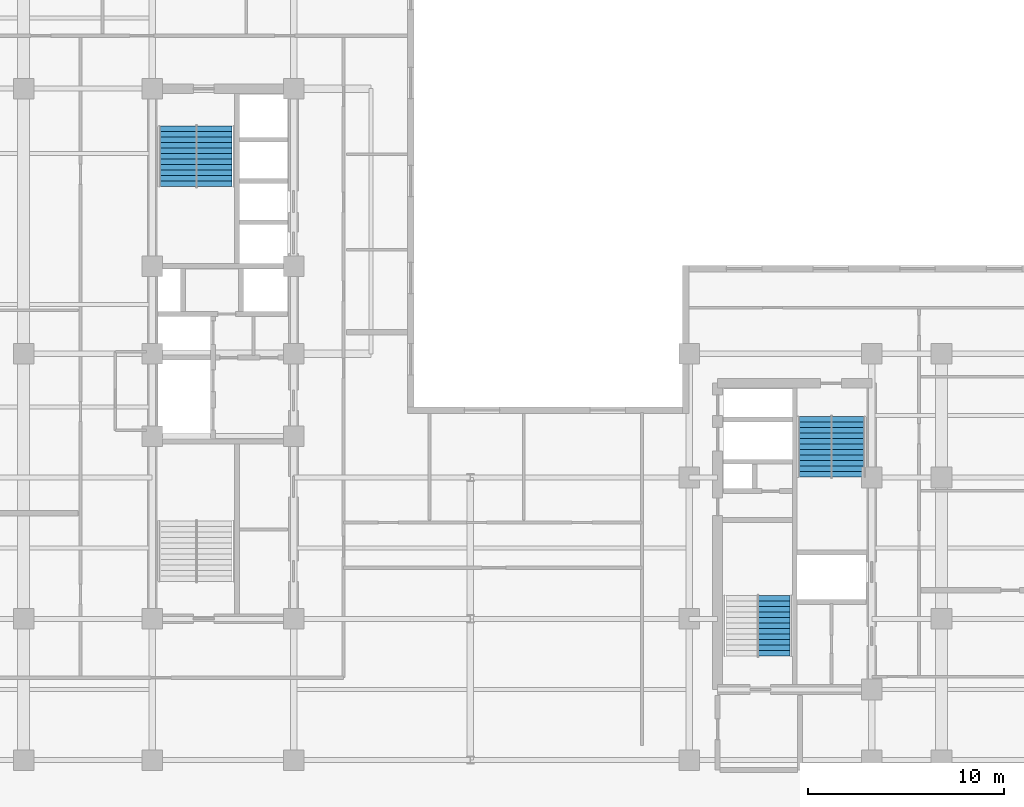
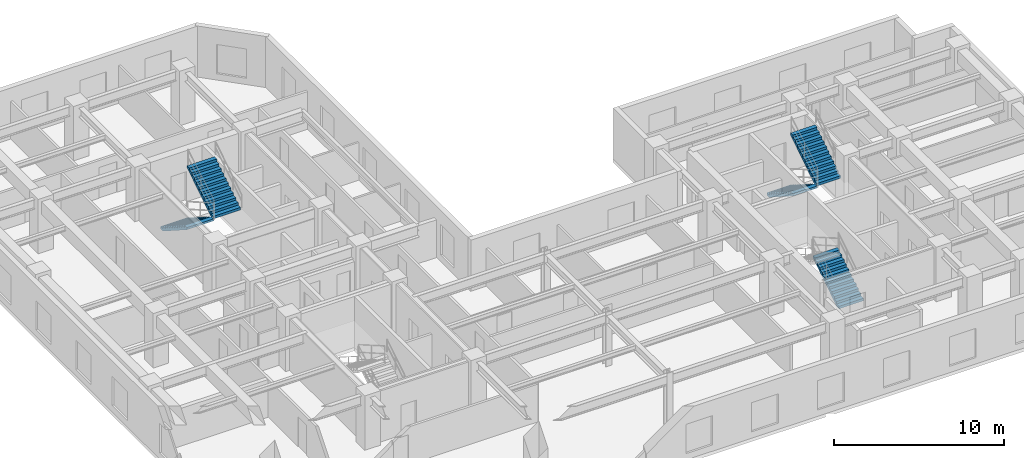
# One storey, part 7 of 10: 5 stair flights, 3 elements without a shape of their own.
"""IFC4 building model written with IfcOpenShell, lengths in metres."""

from ifc_helpers import new_model, entity, si_unit, converted_unit, direction, frame, origin_with_axes, place, context, subcontext, project, spatial, polyline, outline, extrude, material, type_object, element, aggregate, save


model = new_model("IFC4")

# Units and contexts
model_context = context("Model", 3, precision=1e-05, world=origin_with_axes(), true_north=direction((0.0, 1.0)))
body_context = subcontext(model_context, "Body", "Model", "MODEL_VIEW")
ifc_project = project(units=[si_unit("LENGTHUNIT", "METRE"), si_unit("AREAUNIT", "SQUARE_METRE"), si_unit("VOLUMEUNIT", "CUBIC_METRE"), converted_unit("PLANEANGLEUNIT", "DEGREE", entity("IfcPlaneAngleMeasure", 0.017453292519943295), si_unit("PLANEANGLEUNIT", "RADIAN"), dimensions=[0, 0, 0, 0, 0, 0, 0]), si_unit("MASSUNIT", "GRAM", prefix="KILO"), si_unit("THERMODYNAMICTEMPERATUREUNIT", "KELVIN")], contexts=[model_context])

# Site, building, storey
site_placement = place(None, origin_with_axes())
site = spatial("IfcSite", under=ifc_project, at=site_placement, CompositionType="ELEMENT")
building_placement = place(site_placement, origin_with_axes())
building = spatial("IfcBuilding", under=site, at=building_placement, Name="Varnlund Millrace Tower", CompositionType="ELEMENT")
storey_placement = place(building_placement, frame((0.0, 0.0, 171.9), z_axis=(0.0, 0.0, 1.0), x_axis=(1.0, 0.0, 0.0)))
storey = spatial("IfcBuildingStorey", under=building, at=storey_placement, Name="L42", CompositionType="ELEMENT", Elevation=171.9)

# Stair, stair flight
ifc_material_1 = material(Name="Concrete C50/60", Category="concrete")
stair_type_1 = type_object("IfcStairType", Name="Type-Stair-Dogleg-165-390", PredefinedType="HALF_TURN_STAIR", material=ifc_material_1)
stair_1_placement = place(storey_placement, origin_with_axes())
stair_1 = element("IfcStair", 1, at=stair_1_placement, inside=storey, type_object=stair_type_1, Name="Type-Stair-Dogleg-165-390", PredefinedType="HALF_TURN_STAIR")
ifc_material_2 = material(Name="Precast concrete C50/60", Category="concrete")
stair_flight_type_1 = type_object("IfcStairFlightType", Name="Type-Dogleg-Run-165-390", PredefinedType="STRAIGHT", material=ifc_material_2)
stair_flight_1_placement = place(storey_placement, frame((42.225, 8.9, 0.0), z_axis=(1.0, 0.0, 0.0), x_axis=(0.0, 1.0, 0.0)))
stair_flight_1 = element("IfcStairFlight", 2, at=stair_flight_1_placement, type_object=stair_flight_type_1, Name="ST-B1 flight 1", NumberOfRisers=11, NumberOfTreads=11, PredefinedType="STRAIGHT", RiserHeight=0.177273, TreadLength=0.28, context=body_context, shape_type="SweptSolid", body=[
    extrude(outline(polyline([(0.0, 0.0), (0.0, 0.177273), (0.28, 0.177273), (0.28, 0.354545), (0.56, 0.354545), (0.56, 0.531818), (0.84, 0.531818), (0.84, 0.709091), (1.12, 0.709091), (1.12, 0.886364), (1.4, 0.886364), (1.4, 1.063636), (1.68, 1.063636), (1.68, 1.240909), (1.96, 1.240909), (1.96, 1.418182), (2.24, 1.418182), (2.24, 1.595454), (2.52, 1.595454), (2.52, 1.772727), (2.8, 1.772727), (2.8, 1.95), (3.08, 1.95), (3.08, 1.8), (0.28, 0.0), (0.0, 0.0)])), origin_with_axes(), (0.0, 0.0, 1.0), 1.65),
])
aggregate(stair_1, [stair_flight_1])

# Stair, stair flights
stair_2_placement = place(storey_placement, origin_with_axes())
stair_2 = element("IfcStair", 3, at=stair_2_placement, inside=storey, type_object=stair_type_1, Name="Type-Stair-Dogleg-165-390", PredefinedType="HALF_TURN_STAIR")
stair_flight_2_placement = place(storey_placement, frame((46.025, 21.1, 0.0), z_axis=(-1.0, 0.0, 0.0), x_axis=(0.0, -1.0, 0.0)))
stair_flight_2 = element("IfcStairFlight", 4, at=stair_flight_2_placement, type_object=stair_flight_type_1, Name="ST-B2 flight 1", NumberOfRisers=11, NumberOfTreads=11, PredefinedType="STRAIGHT", RiserHeight=0.177273, TreadLength=0.28, context=body_context, shape_type="SweptSolid", body=[
    extrude(outline(polyline([(0.0, 0.0), (0.0, 0.177273), (0.28, 0.177273), (0.28, 0.354545), (0.56, 0.354545), (0.56, 0.531818), (0.84, 0.531818), (0.84, 0.709091), (1.12, 0.709091), (1.12, 0.886364), (1.4, 0.886364), (1.4, 1.063636), (1.68, 1.063636), (1.68, 1.240909), (1.96, 1.240909), (1.96, 1.418182), (2.24, 1.418182), (2.24, 1.595454), (2.52, 1.595454), (2.52, 1.772727), (2.8, 1.772727), (2.8, 1.95), (3.08, 1.95), (3.08, 1.8), (0.28, 0.0), (0.0, 0.0)])), origin_with_axes(), (0.0, 0.0, 1.0), 1.65),
])
stair_flight_3_placement = place(storey_placement, frame((45.975, 18.02, 1.95), z_axis=(1.0, 0.0, 0.0), x_axis=(0.0, 1.0, 0.0)))
stair_flight_3 = element("IfcStairFlight", 5, at=stair_flight_3_placement, type_object=stair_flight_type_1, Name="ST-B2 flight 2", NumberOfRisers=11, NumberOfTreads=11, PredefinedType="STRAIGHT", RiserHeight=0.177273, TreadLength=0.28, context=body_context, shape_type="SweptSolid", body=[
    extrude(outline(polyline([(0.0, 0.0), (0.0, 0.177273), (0.28, 0.177273), (0.28, 0.354545), (0.56, 0.354545), (0.56, 0.531818), (0.84, 0.531818), (0.84, 0.709091), (1.12, 0.709091), (1.12, 0.886364), (1.4, 0.886364), (1.4, 1.063636), (1.68, 1.063636), (1.68, 1.240909), (1.96, 1.240909), (1.96, 1.418182), (2.24, 1.418182), (2.24, 1.595454), (2.52, 1.595454), (2.52, 1.772727), (2.8, 1.772727), (2.8, 1.95), (3.08, 1.95), (3.08, 1.8), (0.28, 0.0), (0.0, 0.0)])), origin_with_axes(), (0.0, 0.0, 1.0), 1.65),
])
aggregate(stair_2, [stair_flight_2, stair_flight_3])

stair_type_2 = type_object("IfcStairType", Name="Type-Stair-Dogleg-185-390", PredefinedType="HALF_TURN_STAIR", material=ifc_material_1)
stair_3_placement = place(storey_placement, origin_with_axes())
stair_3 = element("IfcStair", 6, at=stair_3_placement, inside=storey, type_object=stair_type_2, Name="Type-Stair-Dogleg-185-390", PredefinedType="HALF_TURN_STAIR")
stair_flight_type_2 = type_object("IfcStairFlightType", Name="Type-Dogleg-Run-185-390", PredefinedType="STRAIGHT", material=ifc_material_2)
stair_flight_4_placement = place(storey_placement, frame((13.675, 35.9, 0.0), z_axis=(-1.0, 0.0, 0.0), x_axis=(0.0, -1.0, 0.0)))
stair_flight_4 = element("IfcStairFlight", 7, at=stair_flight_4_placement, type_object=stair_flight_type_2, Name="ST-A2 flight 1", NumberOfRisers=11, NumberOfTreads=11, PredefinedType="STRAIGHT", RiserHeight=0.177273, TreadLength=0.28, context=body_context, shape_type="SweptSolid", body=[
    extrude(outline(polyline([(0.0, 0.0), (0.0, 0.177273), (0.28, 0.177273), (0.28, 0.354545), (0.56, 0.354545), (0.56, 0.531818), (0.84, 0.531818), (0.84, 0.709091), (1.12, 0.709091), (1.12, 0.886364), (1.4, 0.886364), (1.4, 1.063636), (1.68, 1.063636), (1.68, 1.240909), (1.96, 1.240909), (1.96, 1.418182), (2.24, 1.418182), (2.24, 1.595454), (2.52, 1.595454), (2.52, 1.772727), (2.8, 1.772727), (2.8, 1.95), (3.08, 1.95), (3.08, 1.8), (0.28, 0.0), (0.0, 0.0)])), origin_with_axes(), (0.0, 0.0, 1.0), 1.85),
])
stair_flight_5_placement = place(storey_placement, frame((13.625, 32.82, 1.95), z_axis=(1.0, 0.0, 0.0), x_axis=(0.0, 1.0, 0.0)))
stair_flight_5 = element("IfcStairFlight", 8, at=stair_flight_5_placement, type_object=stair_flight_type_2, Name="ST-A2 flight 2", NumberOfRisers=11, NumberOfTreads=11, PredefinedType="STRAIGHT", RiserHeight=0.177273, TreadLength=0.28, context=body_context, shape_type="SweptSolid", body=[
    extrude(outline(polyline([(0.0, 0.0), (0.0, 0.177273), (0.28, 0.177273), (0.28, 0.354545), (0.56, 0.354545), (0.56, 0.531818), (0.84, 0.531818), (0.84, 0.709091), (1.12, 0.709091), (1.12, 0.886364), (1.4, 0.886364), (1.4, 1.063636), (1.68, 1.063636), (1.68, 1.240909), (1.96, 1.240909), (1.96, 1.418182), (2.24, 1.418182), (2.24, 1.595454), (2.52, 1.595454), (2.52, 1.772727), (2.8, 1.772727), (2.8, 1.95), (3.08, 1.95), (3.08, 1.8), (0.28, 0.0), (0.0, 0.0)])), origin_with_axes(), (0.0, 0.0, 1.0), 1.85),
])
aggregate(stair_3, [stair_flight_4, stair_flight_5])

save(model, "model.ifc")
